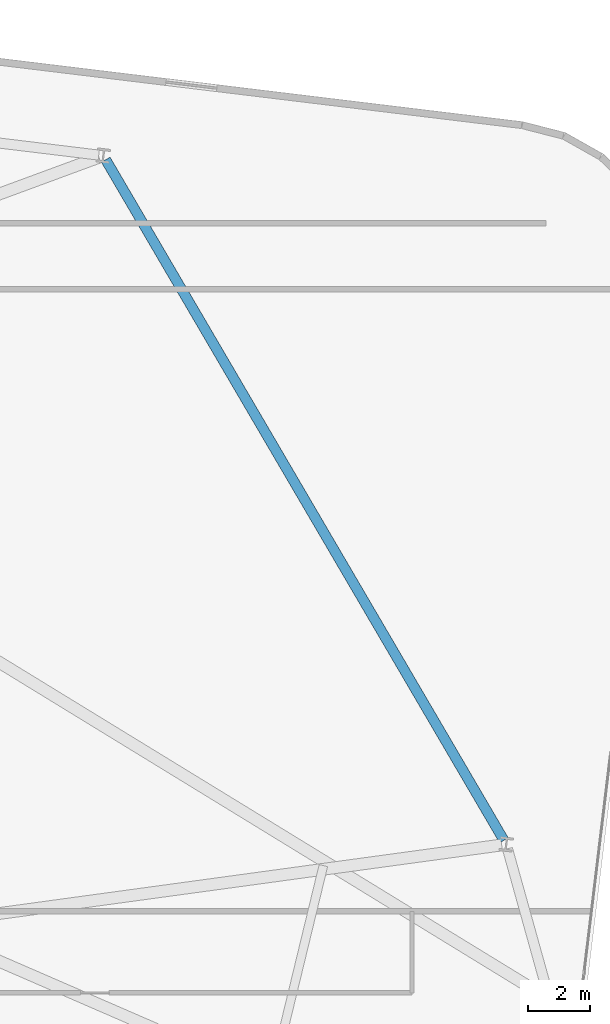
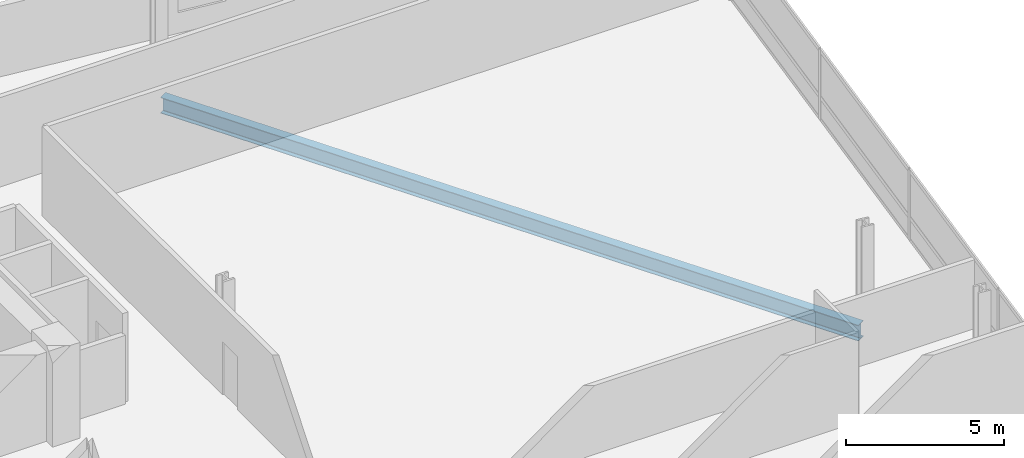
# One storey, part 17 of 25: 1 beam.
"""IFC4 building model written with IfcOpenShell, lengths in metres."""

import ifcopenshell
import ifcopenshell.guid

model = None  # the IFC model being written
_history = None  # IfcOwnerHistory: only IFC2X3 demands one
_inside = {}  # id of a spatial element -> (the spatial element, [elements in it])
_under = {}  # id of a project, library or spatial element -> (it, [spatial elements below it])
_declared = {}  # id of a project -> (the project, [libraries it declares])
_typed = {}  # id of a type object -> (the type object, [elements of that type])
_made_of = {}  # id of a material, layer set ... -> (it, [elements and type objects made of it])


def new_model(schema):
    """Start an empty IFC model of exactly this schema.

    Asked for "IFC4X3", IfcOpenShell would pick the latest addendum, in which some entities
    have other attributes; the version numbers below select the first issue.
    IFC2X3 requires an IfcOwnerHistory on every rooted entity: one is made here for all.
    """
    global model, _history
    if schema == "IFC4X3":
        model = ifcopenshell.file(schema_version=(4, 3, 0, 0))
    else:
        model = ifcopenshell.file(schema=schema)
    _inside.clear()
    _under.clear()
    _declared.clear()
    _typed.clear()
    _made_of.clear()
    _history = None
    if model.schema == "IFC2X3":
        org = make("IfcOrganization", Name="unknown")
        user = make(
            "IfcPersonAndOrganization",
            ThePerson=make("IfcPerson", FamilyName="unknown"),
            TheOrganization=org,
        )
        app = make(
            "IfcApplication",
            ApplicationDeveloper=org,
            Version="unknown",
            ApplicationFullName="unknown",
            ApplicationIdentifier="unknown",
        )
        _history = make(
            "IfcOwnerHistory",
            OwningUser=user,
            OwningApplication=app,
            ChangeAction="ADDED",
            CreationDate=0,
        )
    return model


def make(cls, **values):
    """One entity of the class cls with the attributes given. An attribute that is None is left unset."""
    return model.create_entity(
        cls, **{name: value for name, value in values.items() if value is not None}
    )


def rooted(cls, **values):
    """An entity with a GlobalId (a new one), such as an element, a storey or a relation."""
    return make(cls, GlobalId=ifcopenshell.guid.new(), OwnerHistory=_history, **values)


def si_unit(unit_type, name, prefix=None):
    """IfcSIUnit, for example si_unit("LENGTHUNIT", "METRE", prefix="MILLI")."""
    return make("IfcSIUnit", UnitType=unit_type, Prefix=prefix, Name=name)


def assignment(units):
    """IfcUnitAssignment: the units of a project."""
    return None if units is None else make("IfcUnitAssignment", Units=units)


def point(xyz):
    """IfcCartesianPoint."""
    return None if xyz is None else make("IfcCartesianPoint", Coordinates=xyz)


def direction(xyz):
    """IfcDirection."""
    return None if xyz is None else make("IfcDirection", DirectionRatios=xyz)


def frame(location, z_axis=None, x_axis=None):
    """IfcAxis2Placement3D, a coordinate frame: its origin and axes. An axis left out is left unset."""
    return make(
        "IfcAxis2Placement3D",
        Location=point(location),
        Axis=direction(z_axis),
        RefDirection=direction(x_axis),
    )


def frame_2d(location, x_axis=None):
    """IfcAxis2Placement2D, a coordinate frame in the plane: its origin and x axis."""
    return make(
        "IfcAxis2Placement2D", Location=point(location), RefDirection=direction(x_axis)
    )


def origin():
    """The frame at (0, 0, 0) with its axes left unset."""
    return frame((0.0, 0.0, 0.0))


def origin_2d():
    """The frame at (0, 0) in the plane with its x axis left unset."""
    return frame_2d((0.0, 0.0))


def place(relative_to, where):
    """IfcLocalPlacement: puts the frame where relative to a parent placement (None: the world)."""
    return make(
        "IfcLocalPlacement", PlacementRelTo=relative_to, RelativePlacement=where
    )


def context(
    kind, dimensions, precision=None, world=None, true_north=None, identifier=None
):
    """IfcGeometricRepresentationContext, for example the 3D "Model" context."""
    return make(
        "IfcGeometricRepresentationContext",
        ContextIdentifier=identifier,
        ContextType=kind,
        CoordinateSpaceDimension=dimensions,
        Precision=precision,
        WorldCoordinateSystem=world,
        TrueNorth=true_north,
    )


def subcontext(parent, identifier, kind, view, scale=None):
    """IfcGeometricRepresentationSubContext, for example "Body" below "Model"."""
    return make(
        "IfcGeometricRepresentationSubContext",
        ContextIdentifier=identifier,
        ContextType=kind,
        ParentContext=parent,
        TargetScale=scale,
        TargetView=view,
    )


def project(units=None, contexts=None):
    """IfcProject with its units and contexts."""
    return rooted(
        "IfcProject",
        Name="project",
        RepresentationContexts=contexts,
        UnitsInContext=assignment(units),
    )


def spatial(cls, under=None, at=None, **own):
    """A site, building, storey or space (cls), placed at a placement, below another one or the project."""
    s = rooted(cls, ObjectPlacement=at, **own)
    if under is not None:
        _under.setdefault(under.id(), (under, []))[1].append(s)
    return s


def profile(cls, at=None, kind="AREA", **sizes):
    """A parametric profile (cls). Its sizes go by their IFC names, for example OverallWidth=200.0."""
    return make(cls, ProfileType=kind, Position=at, **sizes)


def i_section(**sizes):
    """IfcIShapeProfileDef."""
    return profile("IfcIShapeProfileDef", **sizes)


def extrude(swept, where, along, depth):
    """IfcExtrudedAreaSolid: the profile swept, set in the frame where, extruded along a direction by depth."""
    return make(
        "IfcExtrudedAreaSolid",
        SweptArea=swept,
        Position=where,
        ExtrudedDirection=direction(along),
        Depth=depth,
    )


def shape(context_of_items, identifier, shape_type, items):
    """IfcShapeRepresentation: the items that make up one representation, for example the "Body"."""
    return make(
        "IfcShapeRepresentation",
        ContextOfItems=context_of_items,
        RepresentationIdentifier=identifier,
        RepresentationType=shape_type,
        Items=items,
    )


def material(Name=None, Category=None):
    """IfcMaterial."""
    return make("IfcMaterial", Name=Name, Category=Category)


def material_profile(
    of_material, cross_section, Name=None, Category=None, Priority=None
):
    """IfcMaterialProfile: a cross section and its material."""
    return make(
        "IfcMaterialProfile",
        Name=Name,
        Material=of_material,
        Profile=cross_section,
        Priority=Priority,
        Category=Category,
    )


def profile_set(profiles, Name=None, composite=None):
    """IfcMaterialProfileSet."""
    return make(
        "IfcMaterialProfileSet",
        Name=Name,
        MaterialProfiles=profiles,
        CompositeProfile=composite,
    )


def made_of(thing, what):
    """Note that an element or type object is made of a material, layer set ...; save() writes the relation."""
    if what is not None:
        _made_of.setdefault(what.id(), (what, []))[1].append(thing)
    return thing


def type_object(cls, material=None, **own):
    """A type object (cls), such as IfcWallType, which elements share."""
    return made_of(rooted(cls, **own), material)


def element(
    cls,
    number,
    at=None,
    inside=None,
    cuts=None,
    type_object=None,
    material=None,
    context=None,
    identifier="Body",
    shape_type=None,
    held_by="IfcProductDefinitionShape",
    body=None,
    shapes=None,
    **own,
):
    """One element of the class cls, such as IfcWall. Its Tag is "e" and its number.

    at: its placement. inside: the storey or other place that contains it. cuts: it is an
    opening in that element (IfcRelVoidsElement). A single representation is given by context,
    identifier, shape_type and body (its items); several are given by shapes. held_by: the class
    of the entity that holds the representations. save() writes the other relations.
    """
    e = rooted(cls, Tag="e%d" % number, ObjectPlacement=at, **own)
    if body is not None:
        shapes = [shape(context, identifier, shape_type, body)]
    if shapes is not None:
        e.Representation = make(held_by, Representations=shapes)
    if inside is not None:
        _inside.setdefault(inside.id(), (inside, []))[1].append(e)
    if cuts is not None:
        rooted(
            "IfcRelVoidsElement", RelatingBuildingElement=cuts, RelatedOpeningElement=e
        )
    if type_object is not None:
        _typed.setdefault(type_object.id(), (type_object, []))[1].append(e)
    return made_of(e, material)


def aggregate(whole, parts):
    """IfcRelAggregates: a whole, such as a stair, and the parts it consists of."""
    return rooted("IfcRelAggregates", RelatingObject=whole, RelatedObjects=parts)


def save(model, path):
    """Write the relations noted so far, then the file.

    IfcRelAggregates (storeys below a building ...), IfcRelContainedInSpatialStructure (elements
    in a storey), IfcRelDefinesByType, IfcRelAssociatesMaterial and IfcRelDeclares: one each for
    every whole, place, type object, material and project.
    """
    for whole, parts in _under.values():
        aggregate(whole, parts)
    for where, things in _inside.values():
        rooted(
            "IfcRelContainedInSpatialStructure",
            RelatedElements=things,
            RelatingStructure=where,
        )
    for kind, things in _typed.values():
        rooted("IfcRelDefinesByType", RelatedObjects=things, RelatingType=kind)
    for what, things in _made_of.values():
        rooted("IfcRelAssociatesMaterial", RelatedObjects=things, RelatingMaterial=what)
    for by, libraries in _declared.values():
        rooted("IfcRelDeclares", RelatingContext=by, RelatedDefinitions=libraries)
    model.write(path)


model = new_model("IFC4")

# Units and contexts
model_context = context("Model", 3, precision=1e-05, world=origin(), true_north=direction((0.0, 1.0)))
body_context = subcontext(model_context, "Body", "Model", "MODEL_VIEW")
ifc_project = project(units=[si_unit("LENGTHUNIT", "METRE"), si_unit("AREAUNIT", "SQUARE_METRE"), si_unit("VOLUMEUNIT", "CUBIC_METRE"), si_unit("PLANEANGLEUNIT", "RADIAN"), si_unit("MASSUNIT", "GRAM", prefix="KILO")], contexts=[model_context])

# Site, building, storey
site_placement = place(None, origin())
site = spatial("IfcSite", under=ifc_project, at=site_placement, CompositionType="ELEMENT")
building_placement = place(site_placement, origin())
building = spatial("IfcBuilding", under=site, at=building_placement, Name="Varnelok Gate Tower", CompositionType="ELEMENT")
storey_placement = place(building_placement, frame((0.0, 0.0, 132.800048828125)))
storey = spatial("IfcBuildingStorey", under=building, at=storey_placement, Name="L33", CompositionType="ELEMENT", Elevation=132.800048828125)

# Beam
ifc_material = material(Name="Structural Steel ASTM A992 Grade 50", Category="steel")
ifc_material_profile = material_profile(ifc_material, i_section(OverallWidth=0.323974609375, OverallDepth=0.611083984375, WebThickness=0.0126953125, FlangeThickness=0.01904296875, FilletRadius=0.01806640625, at=origin_2d()), Name="W24X104")
ifc_profile_set = profile_set([ifc_material_profile], Name="Structural Steel ASTM A992 Grade 50")
beam_type = type_object("IfcBeamType", Name="BM-SPN-W24X104", PredefinedType="SPANDREL", material=ifc_profile_set)
beam_placement = place(storey_placement, frame((72.96875, 21.528076171875, -0.5556640625), z_axis=(-0.504960797965, 0.863142278259, 0.0), x_axis=(-0.863142278259, -0.504960797965, 0.0)))
element("IfcBeam", 1, at=beam_placement, inside=storey, type_object=beam_type, Name="L33 Perimeter Spandrel Beam 8", PredefinedType="SPANDREL", context=body_context, shape_type="SweptSolid", body=[
    extrude(i_section(OverallWidth=0.323974609375, OverallDepth=0.611083984375, WebThickness=0.0126953125, FlangeThickness=0.01904296875, FilletRadius=0.01806640625, at=origin_2d()), origin(), (0.0, 0.0, 1.0), 25.425537109375),
])

save(model, "model.ifc")
